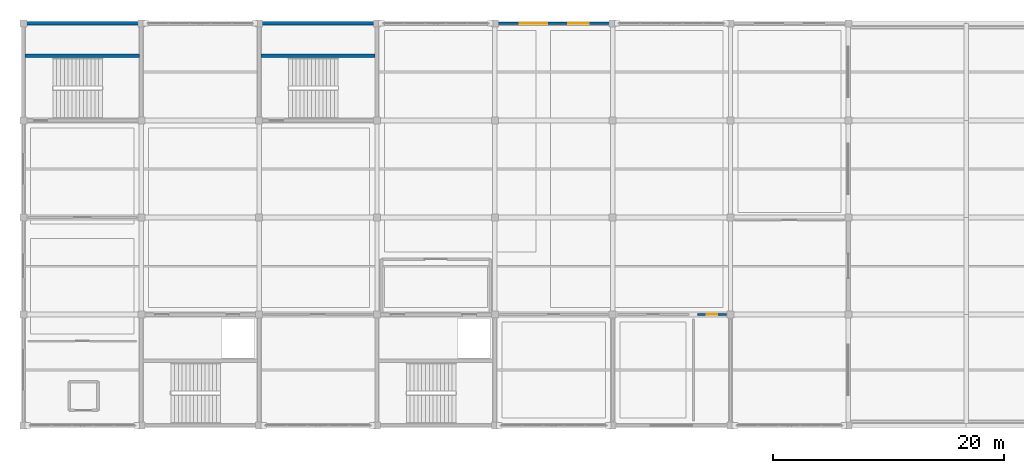
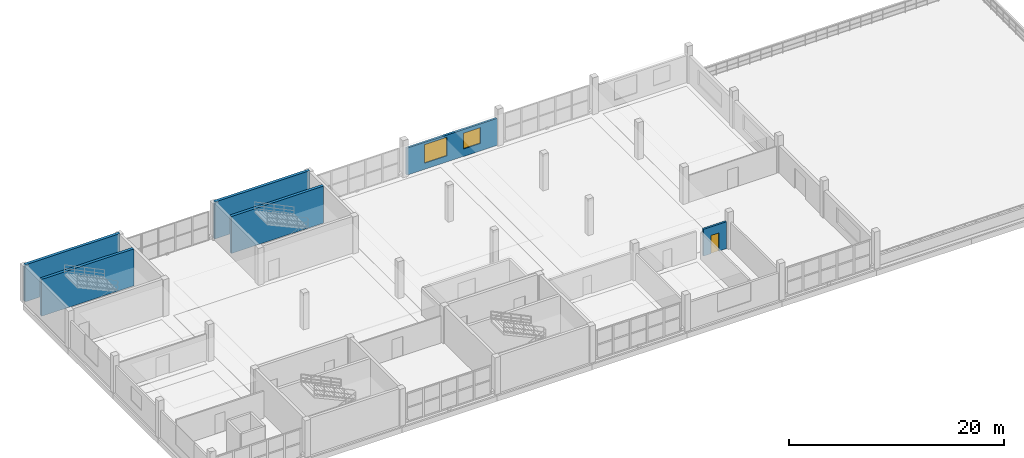
# One storey, part 20 of 24: 6 walls, 2 windows, 1 door, 3 openings.
"""IFC4 building model written with IfcOpenShell, lengths in metres."""

from ifc_helpers import new_model, si_unit, direction, frame, frame_2d, origin, place, context, subcontext, project, spatial, rectangle, extrude, material, layer, layer_set, type_object, element, fill, save


model = new_model("IFC4")

# Units and contexts
model_context = context("Model", 3, precision=1e-05, world=origin(), true_north=direction((0.0, 1.0)))
body_context = subcontext(model_context, "Body", "Model", "MODEL_VIEW")
ifc_project = project(units=[si_unit("LENGTHUNIT", "METRE"), si_unit("AREAUNIT", "SQUARE_METRE"), si_unit("VOLUMEUNIT", "CUBIC_METRE"), si_unit("PLANEANGLEUNIT", "RADIAN"), si_unit("MASSUNIT", "GRAM", prefix="KILO")], contexts=[model_context])

# Site, building, storey
site_placement = place(None, origin())
site = spatial("IfcSite", under=ifc_project, at=site_placement, CompositionType="ELEMENT")
building_placement = place(site_placement, origin())
building = spatial("IfcBuilding", under=site, at=building_placement, Name="Brelvane Convention Centre", CompositionType="ELEMENT")
storey_placement = place(building_placement, frame((0.0, 0.0, 19.199951171875)))
storey = spatial("IfcBuildingStorey", under=building, at=storey_placement, Name="L04", CompositionType="ELEMENT", Elevation=19.199951171875)

# Wall, openings, windows
ifc_material_1 = material(Name="Insulated Autoclaved Aerated Concrete Block Grade 1", Category="concrete")
ifc_layer_1 = layer(ifc_material_1, 0.219970703125)
ifc_layer_set_1 = layer_set([ifc_layer_1], Name="Insulated Autoclaved Aerated Concrete Block Grade 1")
wall_type_1 = type_object("IfcWallType", Name="Exterior Wall EW-04", PredefinedType="STANDARD", material=ifc_layer_set_1)
wall_1_placement = place(storey_placement, frame((41.0400390625, 144.0, 0.0), z_axis=(0.0, 0.0, 1.0), x_axis=(1.0, 0.0, 0.0)))
wall_1 = element("IfcWall", 1, at=wall_1_placement, inside=storey, type_object=wall_type_1, Name="Exterior Wall L04 V4N-05", PredefinedType="STANDARD", context=body_context, shape_type="SweptSolid", body=[
    extrude(rectangle(XDim=9.719970703125, YDim=0.219970703125, at=frame_2d((4.85986328125, 0.0))), origin(), (0.0, 0.0, 1.0), 3.06005859375),
])
opening_1_placement = place(wall_1_placement, frame((1.909912109375, 0.0, 0.699951171875)))
opening_1 = element("IfcOpeningElement", 2, at=opening_1_placement, cuts=wall_1, Name="Opening WN-01", PredefinedType="OPENING", context=body_context, shape_type="SweptSolid", body=[
    extrude(rectangle(XDim=2.39990234375, YDim=2.10009765625, at=frame_2d((1.199951171875, 1.050048828125))), frame((0.0, 0.119873046875, 0.0), z_axis=(0.0, -1.0, 0.0), x_axis=(1.0, 0.0, 0.0)), (0.0, 0.0, 1.0), 0.239990234375),
])
opening_2_placement = place(wall_1_placement, frame((6.097900390625, 0.0, 0.85009765625)))
opening_2 = element("IfcOpeningElement", 3, at=opening_2_placement, cuts=wall_1, Name="Opening WN-04", PredefinedType="OPENING", context=body_context, shape_type="SweptSolid", body=[
    extrude(rectangle(XDim=1.800048828125, YDim=1.800048828125, at=frame_2d((0.89990234375, 0.89990234375))), frame((0.0, 0.119873046875, 0.0), z_axis=(0.0, -1.0, 0.0), x_axis=(1.0, 0.0, 0.0)), (0.0, 0.0, 1.0), 0.239990234375),
])
ifc_material_2 = material(Name="Double Glazed Low-E Laminated Unit")
window_type_1 = type_object("IfcWindowType", Name="Window WN-01", PartitioningType="DOUBLE_PANEL_VERTICAL", PredefinedType="WINDOW", material=ifc_material_2)
window_1_placement = place(opening_1_placement, origin())
window_1 = element("IfcWindow", 4, at=window_1_placement, inside=storey, type_object=window_type_1, Name="Facade Window L04-V4N-05-056", OverallHeight=2.10009765625, OverallWidth=2.39990234375, PartitioningType="DOUBLE_PANEL_VERTICAL", PredefinedType="WINDOW", context=body_context, shape_type="SweptSolid", body=[
    extrude(rectangle(XDim=2.39990234375, YDim=2.10009765625, at=frame_2d((1.199951171875, 1.050048828125))), frame((0.0, 0.030029296875, 0.0), z_axis=(0.0, -1.0, 0.0), x_axis=(1.0, 0.0, 0.0)), (0.0, 0.0, 1.0), 0.06005859375),
])
fill(opening_1, window_1)
ifc_material_3 = material(Name="Double Glazed Low-E Laminated Unit")
window_type_2 = type_object("IfcWindowType", Name="Window WN-04", PartitioningType="DOUBLE_PANEL_VERTICAL", PredefinedType="WINDOW", material=ifc_material_3)
window_2_placement = place(opening_2_placement, origin())
window_2 = element("IfcWindow", 5, at=window_2_placement, inside=storey, type_object=window_type_2, Name="Facade Window L04-V4N-05-057", OverallHeight=1.800048828125, OverallWidth=1.800048828125, PartitioningType="DOUBLE_PANEL_VERTICAL", PredefinedType="WINDOW", context=body_context, shape_type="SweptSolid", body=[
    extrude(rectangle(XDim=1.800048828125, YDim=1.800048828125, at=frame_2d((0.89990234375, 0.89990234375))), frame((0.0, 0.030029296875, 0.0), z_axis=(0.0, -1.0, 0.0), x_axis=(1.0, 0.0, 0.0)), (0.0, 0.0, 1.0), 0.06005859375),
])
fill(opening_2, window_2)

# Wall, opening, door
ifc_material_4 = material(Name="Fire-Rated Acoustic Gypsum Partition Board Grade A")
ifc_layer_2 = layer(ifc_material_4, 0.199951171875)
ifc_layer_set_2 = layer_set([ifc_layer_2], Name="Fire-Rated Acoustic Gypsum Partition Board Grade A")
wall_type_2 = type_object("IfcWallType", Name="Interior Wall IW-FR-200", PredefinedType="PARTITIONING", material=ifc_layer_set_2)
wall_2_placement = place(storey_placement, frame((58.360107421875, 118.800048828125, 0.0), z_axis=(0.0, 0.0, 1.0), x_axis=(1.0, 0.0, 0.0)))
wall_2 = element("IfcWall", 6, at=wall_2_placement, inside=storey, type_object=wall_type_2, Name="Interior Partition L04-WC-ACCL4", PredefinedType="PARTITIONING", context=body_context, shape_type="SweptSolid", body=[
    extrude(rectangle(XDim=2.47998046875, YDim=0.199951171875, at=frame_2d((1.239990234375, 0.0))), origin(), (0.0, 0.0, 1.0), 3.06005859375),
])
opening_3_placement = place(wall_2_placement, frame((0.800048828125, 0.0, 0.0)))
opening_3 = element("IfcOpeningElement", 7, at=opening_3_placement, cuts=wall_2, Name="Opening DR-IN-11L", PredefinedType="OPENING", context=body_context, shape_type="SweptSolid", body=[
    extrude(rectangle(XDim=0.8798828125, YDim=2.080078125, at=frame_2d((0.43994140625, 1.0400390625))), frame((0.0, 0.10986328125, 0.0), z_axis=(0.0, -1.0, 0.0), x_axis=(1.0, 0.0, 0.0)), (0.0, 0.0, 1.0), 0.219970703125),
])
ifc_material_5 = material(Name="Solid-Core Fire-Rated Hardwood Leaf Grade 1", Category="wood")
door_type = type_object("IfcDoorType", Name="Interior Door DR-IN-11L", OperationType="NOTDEFINED", PredefinedType="DOOR", material=ifc_material_5)
door_placement = place(opening_3_placement, origin())
door = element("IfcDoor", 8, at=door_placement, inside=storey, type_object=door_type, Name="Interior Door L04-WC-ACCL4 (DR-IN-11L)", OperationType="SINGLE_SWING_LEFT", OverallHeight=2.080078125, OverallWidth=0.8798828125, PredefinedType="DOOR", context=body_context, shape_type="SweptSolid", body=[
    extrude(rectangle(XDim=0.8798828125, YDim=2.080078125, at=frame_2d((0.43994140625, 1.0400390625))), frame((0.0, 0.02490234375, 0.0), z_axis=(0.0, -1.0, 0.0), x_axis=(1.0, 0.0, 0.0)), (0.0, 0.0, 1.0), 0.050048828125),
])
fill(opening_3, door)

# Walls
ifc_material_6 = material(Name="Concrete M50", Category="concrete")
ifc_layer_3 = layer(ifc_material_6, 0.300048828125)
ifc_layer_set_3 = layer_set([ifc_layer_3], Name="Concrete M50")
wall_type_3 = type_object("IfcWallType", Name="Structural Wall WL-CORE-300", PredefinedType="SHEAR", material=ifc_layer_set_3)
wall_3_placement = place(storey_placement, frame((20.39990234375, 144.0, 0.0), z_axis=(0.0, 0.0, 1.0), x_axis=(1.0, 0.0, 0.0)))
element("IfcWall", 9, at=wall_3_placement, inside=storey, type_object=wall_type_3, Name="Stair Core ST-13 Wall N (L04)", PredefinedType="SHEAR", context=body_context, shape_type="SweptSolid", body=[
    extrude(rectangle(XDim=10.2001953125, YDim=0.300048828125, at=frame_2d((5.10009765625, 0.0))), origin(), (0.0, 0.0, 1.0), 4.199951171875),
])
wall_4_placement = place(storey_placement, frame((20.550048828125, 141.199951171875, 0.0), z_axis=(0.0, 0.0, 1.0), x_axis=(1.0, 0.0, 0.0)))
element("IfcWall", 10, at=wall_4_placement, inside=storey, type_object=wall_type_3, Name="Stair Core ST-13 Well Wall (L04)", PredefinedType="SHEAR", context=body_context, shape_type="SweptSolid", body=[
    extrude(rectangle(XDim=9.89990234375, YDim=0.300048828125, at=frame_2d((4.949951171875, 0.0))), origin(), (0.0, 0.0, 1.0), 4.199951171875),
])
wall_5_placement = place(storey_placement, frame((0.0, 144.0, 0.0), z_axis=(0.0, 0.0, 1.0), x_axis=(1.0, 0.0, 0.0)))
element("IfcWall", 11, at=wall_5_placement, inside=storey, type_object=wall_type_3, Name="Stair Core ST-17 Wall N (L04)", PredefinedType="SHEAR", context=body_context, shape_type="SweptSolid", body=[
    extrude(rectangle(XDim=10.199951171875, YDim=0.300048828125, at=frame_2d((5.10009765625, 0.0))), origin(), (0.0, 0.0, 1.0), 4.199951171875),
])
wall_6_placement = place(storey_placement, frame((0.14990234375, 141.199951171875, 0.0), z_axis=(0.0, 0.0, 1.0), x_axis=(1.0, 0.0, 0.0)))
element("IfcWall", 12, at=wall_6_placement, inside=storey, type_object=wall_type_3, Name="Stair Core ST-17 Well Wall (L04)", PredefinedType="SHEAR", context=body_context, shape_type="SweptSolid", body=[
    extrude(rectangle(XDim=9.900146484375, YDim=0.300048828125, at=frame_2d((4.9501953125, 0.0))), origin(), (0.0, 0.0, 1.0), 4.199951171875),
])

save(model, "model.ifc")
